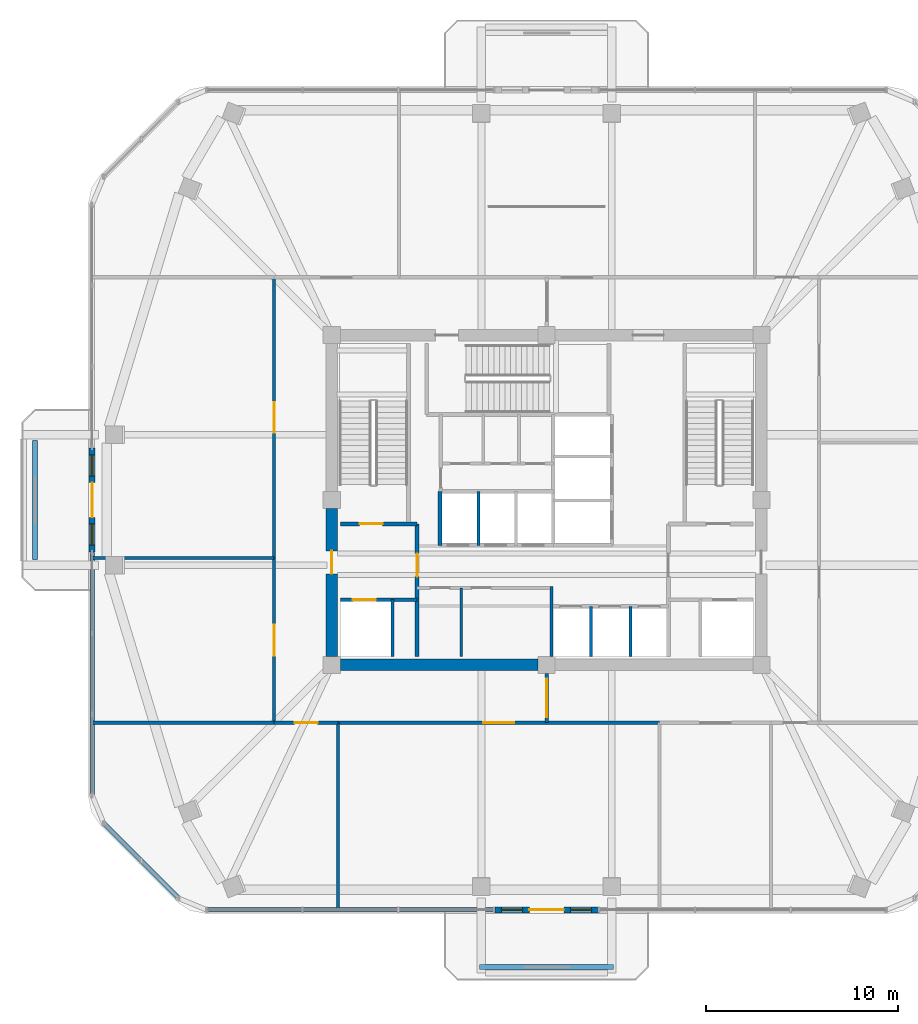
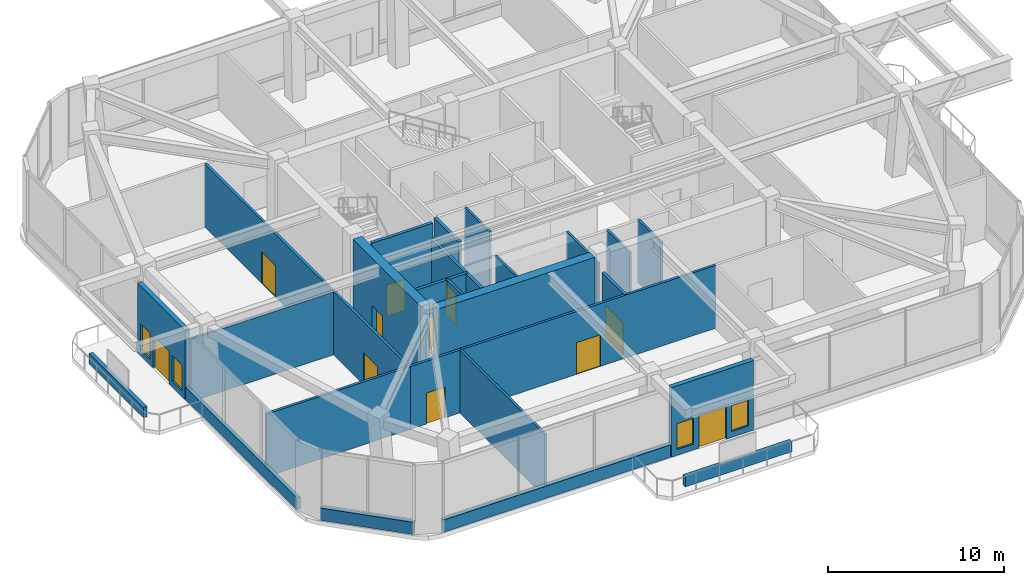
# One storey, part 8 of 14: 27 walls, 11 doors, 4 windows, 15 openings.
"""IFC4 building model written with IfcOpenShell, lengths in metres."""

from ifc_helpers import new_model, si_unit, derived_unit, direction, frame, frame_2d, origin, place, context, subcontext, project, spatial, rectangle, extrude, material, layer, layer_set, type_object, element, fill, save


model = new_model("IFC4")

# Units and contexts
model_context = context("Model", 3, precision=1e-05, world=origin(), true_north=direction((0.0, 1.0)))
body_context = subcontext(model_context, "Body", "Model", "MODEL_VIEW")
ifc_project = project(units=[si_unit("LENGTHUNIT", "METRE"), si_unit("AREAUNIT", "SQUARE_METRE"), si_unit("VOLUMEUNIT", "CUBIC_METRE"), si_unit("PLANEANGLEUNIT", "RADIAN"), si_unit("MASSUNIT", "GRAM", prefix="KILO"), derived_unit("THERMALTRANSMITTANCEUNIT", [(si_unit("POWERUNIT", "WATT"), 1), (si_unit("LENGTHUNIT", "METRE"), -2), (si_unit("THERMODYNAMICTEMPERATUREUNIT", "KELVIN"), -1)])], contexts=[model_context])

# Site, building, storey
site_placement = place(None, origin())
site = spatial("IfcSite", under=ifc_project, at=site_placement, CompositionType="ELEMENT")
building_placement = place(site_placement, origin())
building = spatial("IfcBuilding", under=site, at=building_placement, Name="Koralith Skygarden Medical Center", CompositionType="ELEMENT")
storey_placement = place(building_placement, frame((0.0, 0.0, 182.699951171875)))
storey = spatial("IfcBuildingStorey", under=building, at=storey_placement, Name="L47", CompositionType="ELEMENT", Elevation=182.699951171875)

# Walls
ifc_material_1 = material(Name="Gypsum Board Partition")
ifc_layer_1 = layer(ifc_material_1, 0.14990234375)
ifc_layer_set_1 = layer_set([ifc_layer_1], Name="Gypsum Board Partition")
wall_type_1 = type_object("IfcWallType", Name="Clinical Acoustic Partition 150", PredefinedType="PARTITIONING", material=ifc_layer_set_1)
wall_1_placement = place(storey_placement, frame((32.550048828125, 17.75, 0.0), z_axis=(0.0, 0.0, 1.0), x_axis=(0.0, 1.0, 0.0)))
element("IfcWall", 1, at=wall_1_placement, inside=storey, type_object=wall_type_1, Name="L47 Clinical Acoustic Partition 150 W-CORE-L47-FREED-LR-M", PredefinedType="PARTITIONING", context=body_context, shape_type="SweptSolid", body=[
    extrude(rectangle(XDim=3.570068359375, YDim=0.14990234375, at=frame_2d((1.78515625, 0.0))), origin(), (0.0, 0.0, 1.0), 4.3701171875),
])
wall_2_placement = place(storey_placement, frame((26.125, 14.2900390625, 0.0), z_axis=(0.0, 0.0, 1.0), x_axis=(0.0, -1.0, 0.0)))
element("IfcWall", 2, at=wall_2_placement, inside=storey, type_object=wall_type_1, Name="L47 Clinical Acoustic Partition 150 W-AMPART-L47-S-1", PredefinedType="PARTITIONING", context=body_context, shape_type="SweptSolid", body=[
    extrude(rectangle(XDim=9.740966796875, YDim=0.14990234375, at=frame_2d((4.87060546875, 0.0))), origin(), (0.0, 0.0, 1.0), 4.3701171875),
])
wall_3_placement = place(storey_placement, frame((22.7900390625, 22.881103515625, 0.0), z_axis=(0.0, 0.0, 1.0), x_axis=(-1.0, 0.0, 0.0)))
element("IfcWall", 3, at=wall_3_placement, inside=storey, type_object=wall_type_1, Name="L47 Clinical Acoustic Partition 150 W-AMPART-L47-W-1", PredefinedType="PARTITIONING", context=body_context, shape_type="SweptSolid", body=[
    extrude(rectangle(XDim=9.467041015625, YDim=0.14990234375, at=frame_2d((4.7333984375, 0.0))), origin(), (0.0, 0.0, 1.0), 4.3701171875),
])
ifc_layer_2 = layer(ifc_material_1, 0.1650390625)
ifc_layer_set_2 = layer_set([ifc_layer_2], Name="Gypsum Board Partition")
wall_type_2 = type_object("IfcWallType", Name="Clinical Corridor Partition 165", PredefinedType="PARTITIONING", material=ifc_layer_set_2)
wall_4_placement = place(storey_placement, frame((13.322998046875, 14.2900390625, 0.0), z_axis=(0.0, 0.0, 1.0), x_axis=(1.0, 0.0, 0.0)))
element("IfcWall", 4, at=wall_4_placement, inside=storey, type_object=wall_type_2, Name="L47 Clinical Corridor Partition 165 W-WB-L47-SW", PredefinedType="PARTITIONING", context=body_context, shape_type="SweptSolid", body=[
    extrude(rectangle(XDim=9.467041015625, YDim=0.1650390625, at=frame_2d((4.7333984375, 0.0))), origin(), (0.0, 0.0, 1.0), 4.3701171875),
])

# Wall, opening, door
wall_5_placement = place(storey_placement, frame((22.7900390625, 14.2900390625, 0.0), z_axis=(0.0, 0.0, 1.0), x_axis=(1.0, 0.0, 0.0)))
wall_5 = element("IfcWall", 5, at=wall_5_placement, inside=storey, type_object=wall_type_2, Name="L47 Clinical Corridor Partition 165 W-AMCOR-L47-S-1", PredefinedType="PARTITIONING", context=body_context, shape_type="SweptSolid", body=[
    extrude(rectangle(XDim=3.3349609375, YDim=0.1650390625, at=frame_2d((1.66748046875, 0.0))), origin(), (0.0, 0.0, 1.0), 4.3701171875),
])
opening_1_placement = place(wall_5_placement, frame((1.068115234375, 0.0, 0.0)))
opening_1 = element("IfcOpeningElement", 6, at=opening_1_placement, cuts=wall_5, Name="Opening D-CLN", PredefinedType="OPENING", context=body_context, shape_type="SweptSolid", body=[
    extrude(rectangle(XDim=1.199951171875, YDim=2.14990234375, at=frame_2d((0.60009765625, 1.074951171875))), frame((0.0, 0.092529296875, 0.0), z_axis=(0.0, -1.0, 0.0), x_axis=(1.0, 0.0, 0.0)), (0.0, 0.0, 1.0), 0.18505859375),
])
ifc_material_2 = material(Name="Aluminium 6063-T6", Category="aluminium")
door_type_1 = type_object("IfcDoorType", Name="Clinical Corridor Door D-CLN 1200", OperationType="NOTDEFINED", PredefinedType="DOOR", material=ifc_material_2)
door_1_placement = place(opening_1_placement, frame((1.199951171875, 0.0, 0.0), z_axis=(0.0, 0.0, 1.0), x_axis=(-1.0, 0.0, 0.0)))
door_1 = element("IfcDoor", 7, at=door_1_placement, inside=storey, type_object=door_type_1, Name="L47 Rehabilitation Exercise Treatment Room Door", OperationType="SINGLE_SWING_LEFT", OverallHeight=2.14990234375, OverallWidth=1.199951171875, PredefinedType="DOOR", context=body_context, shape_type="SweptSolid", body=[
    extrude(rectangle(XDim=1.199951171875, YDim=2.14990234375, at=frame_2d((0.60009765625, 1.074951171875))), frame((0.0, 0.02490234375, 0.0), z_axis=(0.0, -1.0, 0.0), x_axis=(1.0, 0.0, 0.0)), (0.0, 0.0, 1.0), 0.050048828125),
])
fill(opening_1, door_1)

wall_6_placement = place(storey_placement, frame((26.125, 14.2900390625, 0.0), z_axis=(0.0, 0.0, 1.0), x_axis=(1.0, 0.0, 0.0)))
wall_6 = element("IfcWall", 8, at=wall_6_placement, inside=storey, type_object=wall_type_2, Name="L47 Clinical Corridor Partition 165 W-AMCOR-L47-S-2", PredefinedType="PARTITIONING", context=body_context, shape_type="SweptSolid", body=[
    extrude(rectangle(XDim=16.76611328125, YDim=0.1650390625, at=frame_2d((8.383056640625, 0.0))), origin(), (0.0, 0.0, 1.0), 4.3701171875),
])
opening_2_placement = place(wall_6_placement, frame((7.5830078125, 0.0, 0.0)))
opening_2 = element("IfcOpeningElement", 9, at=opening_2_placement, cuts=wall_6, Name="Opening D-DBL", PredefinedType="OPENING", context=body_context, shape_type="SweptSolid", body=[
    extrude(rectangle(XDim=1.60009765625, YDim=2.199951171875, at=frame_2d((0.800048828125, 1.10009765625))), frame((0.0, 0.092529296875, 0.0), z_axis=(0.0, -1.0, 0.0), x_axis=(1.0, 0.0, 0.0)), (0.0, 0.0, 1.0), 0.18505859375),
])
door_type_2 = type_object("IfcDoorType", Name="Double Clinical Suite Door D-DBL 1600", OperationType="NOTDEFINED", PredefinedType="DOOR", material=ifc_material_2)
door_2_placement = place(opening_2_placement, frame((1.60009765625, 0.0, 0.0), z_axis=(0.0, 0.0, 1.0), x_axis=(-1.0, 0.0, 0.0)))
door_2 = element("IfcDoor", 10, at=door_2_placement, inside=storey, type_object=door_type_2, Name="L47 South Sky-Garden Verandah Lounge Door", OperationType="DOUBLE_DOOR_SINGLE_SWING", OverallHeight=2.199951171875, OverallWidth=1.60009765625, PredefinedType="DOOR", context=body_context, shape_type="SweptSolid", body=[
    extrude(rectangle(XDim=1.60009765625, YDim=2.199951171875, at=frame_2d((0.800048828125, 1.10009765625))), frame((0.0, 0.02490234375, 0.0), z_axis=(0.0, -1.0, 0.0), x_axis=(1.0, 0.0, 0.0)), (0.0, 0.0, 1.0), 0.050048828125),
])
fill(opening_2, door_2)

wall_7_placement = place(storey_placement, frame((22.7900390625, 14.2900390625, 0.0), z_axis=(0.0, 0.0, 1.0), x_axis=(0.0, 1.0, 0.0)))
wall_7 = element("IfcWall", 11, at=wall_7_placement, inside=storey, type_object=wall_type_2, Name="L47 Clinical Corridor Partition 165 W-AMCOR-L47-W-1", PredefinedType="PARTITIONING", context=body_context, shape_type="SweptSolid", body=[
    extrude(rectangle(XDim=8.591064453125, YDim=0.1650390625, at=frame_2d((4.29541015625, 0.0))), origin(), (0.0, 0.0, 1.0), 4.3701171875),
])
opening_3_placement = place(wall_7_placement, frame((3.49609375, 0.0, 0.0)))
opening_3 = element("IfcOpeningElement", 12, at=opening_3_placement, cuts=wall_7, Name="Opening D-DBL", PredefinedType="OPENING", context=body_context, shape_type="SweptSolid", body=[
    extrude(rectangle(XDim=1.60009765625, YDim=2.199951171875, at=frame_2d((0.800048828125, 1.10009765625))), frame((0.0, 0.092529296875, 0.0), z_axis=(0.0, -1.0, 0.0), x_axis=(1.0, 0.0, 0.0)), (0.0, 0.0, 1.0), 0.18505859375),
])
door_3_placement = place(opening_3_placement, frame((1.60009765625, 0.0, 0.0), z_axis=(0.0, 0.0, 1.0), x_axis=(-1.0, 0.0, 0.0)))
door_3 = element("IfcDoor", 13, at=door_3_placement, inside=storey, type_object=door_type_2, Name="L47 Diagnostic Ultrasound Treatment Room Door", OperationType="DOUBLE_DOOR_SINGLE_SWING", OverallHeight=2.199951171875, OverallWidth=1.60009765625, PredefinedType="DOOR", context=body_context, shape_type="SweptSolid", body=[
    extrude(rectangle(XDim=1.60009765625, YDim=2.199951171875, at=frame_2d((0.800048828125, 1.10009765625))), frame((0.0, 0.02490234375, 0.0), z_axis=(0.0, -1.0, 0.0), x_axis=(1.0, 0.0, 0.0)), (0.0, 0.0, 1.0), 0.050048828125),
])
fill(opening_3, door_3)

wall_8_placement = place(storey_placement, frame((22.7900390625, 22.881103515625, 0.0), z_axis=(0.0, 0.0, 1.0), x_axis=(0.0, 1.0, 0.0)))
wall_8 = element("IfcWall", 14, at=wall_8_placement, inside=storey, type_object=wall_type_2, Name="L47 Clinical Corridor Partition 165 W-AMCOR-L47-W-2", PredefinedType="PARTITIONING", context=body_context, shape_type="SweptSolid", body=[
    extrude(rectangle(XDim=14.62890625, YDim=0.1650390625, at=frame_2d((7.314453125, 0.0))), origin(), (0.0, 0.0, 1.0), 4.3701171875),
])
opening_4_placement = place(wall_8_placement, frame((6.513916015625, 0.0, 0.0)))
opening_4 = element("IfcOpeningElement", 15, at=opening_4_placement, cuts=wall_8, Name="Opening D-DBL", PredefinedType="OPENING", context=body_context, shape_type="SweptSolid", body=[
    extrude(rectangle(XDim=1.60009765625, YDim=2.199951171875, at=frame_2d((0.800048828125, 1.10009765625))), frame((0.0, 0.092529296875, 0.0), z_axis=(0.0, -1.0, 0.0), x_axis=(1.0, 0.0, 0.0)), (0.0, 0.0, 1.0), 0.18505859375),
])
door_4_placement = place(opening_4_placement, frame((1.60009765625, 0.0, 0.0), z_axis=(0.0, 0.0, 1.0), x_axis=(-1.0, 0.0, 0.0)))
door_4 = element("IfcDoor", 16, at=door_4_placement, inside=storey, type_object=door_type_2, Name="L47 West Sky-Garden Verandah Lounge Door", OperationType="DOUBLE_DOOR_SINGLE_SWING", OverallHeight=2.199951171875, OverallWidth=1.60009765625, PredefinedType="DOOR", context=body_context, shape_type="SweptSolid", body=[
    extrude(rectangle(XDim=1.60009765625, YDim=2.199951171875, at=frame_2d((0.800048828125, 1.10009765625))), frame((0.0, 0.02490234375, 0.0), z_axis=(0.0, -1.0, 0.0), x_axis=(1.0, 0.0, 0.0)), (0.0, 0.0, 1.0), 0.050048828125),
])
fill(opening_4, door_4)

ifc_layer_3 = layer(ifc_material_1, 0.199951171875)
ifc_layer_set_3 = layer_set([ifc_layer_3], Name="Gypsum Board Partition")
wall_type_3 = type_object("IfcWallType", Name="Fire Shaft Wall 200", PredefinedType="SOLIDWALL", material=ifc_layer_set_3)
wall_9_placement = place(storey_placement, frame((26.25, 20.699951171875, 0.0), z_axis=(0.0, 0.0, 1.0), x_axis=(1.0, 0.0, 0.0)))
wall_9 = element("IfcWall", 17, at=wall_9_placement, inside=storey, type_object=wall_type_3, Name="L47 Fire Shaft Wall 200 W-CORE-L47-FF1-N", PredefinedType="SOLIDWALL", context=body_context, shape_type="SweptSolid", body=[
    extrude(rectangle(XDim=4.0, YDim=0.199951171875, at=frame_2d((2.0, 0.0))), origin(), (0.0, 0.0, 1.0), 4.3701171875),
])
opening_5_placement = place(wall_9_placement, frame((0.64990234375, 0.0, 0.0)))
opening_5 = element("IfcOpeningElement", 18, at=opening_5_placement, cuts=wall_9, Name="Opening LD-FF", PredefinedType="OPENING", context=body_context, shape_type="SweptSolid", body=[
    extrude(rectangle(XDim=1.199951171875, YDim=2.14990234375, at=frame_2d((0.60009765625, 1.074951171875))), frame((0.0, 0.10986328125, 0.0), z_axis=(0.0, -1.0, 0.0), x_axis=(1.0, 0.0, 0.0)), (0.0, 0.0, 1.0), 0.219970703125),
])
ifc_material_3 = material(Name="Steel ASTM A500 Grade C", Category="steel")
door_type_3 = type_object("IfcDoorType", Name="Fire Lift Sliding Landing Door LD-FF 1200", OperationType="NOTDEFINED", PredefinedType="DOOR", material=ifc_material_3)
door_5_placement = place(opening_5_placement, origin())
door_5 = element("IfcDoor", 19, at=door_5_placement, inside=storey, type_object=door_type_3, Name="L47 Fire Service Elevator FF1 Landing Door", OperationType="SLIDING_TO_LEFT", OverallHeight=2.14990234375, OverallWidth=1.199951171875, PredefinedType="DOOR", context=body_context, shape_type="SweptSolid", body=[
    extrude(rectangle(XDim=1.199951171875, YDim=2.14990234375, at=frame_2d((0.60009765625, 1.074951171875))), frame((0.0, 0.02490234375, 0.0), z_axis=(0.0, -1.0, 0.0), x_axis=(1.0, 0.0, 0.0)), (0.0, 0.0, 1.0), 0.050048828125),
])
fill(opening_5, door_5)

wall_10_placement = place(storey_placement, frame((30.25, 17.75, 0.0), z_axis=(0.0, 0.0, 1.0), x_axis=(0.0, 1.0, 0.0)))
wall_10 = element("IfcWall", 20, at=wall_10_placement, inside=storey, type_object=wall_type_3, Name="L47 Fire Shaft Wall 200 W-CORE-L47-FSAEW-E", PredefinedType="SOLIDWALL", context=body_context, shape_type="SweptSolid", body=[
    extrude(rectangle(XDim=6.89990234375, YDim=0.199951171875, at=frame_2d((3.449951171875, 0.0))), origin(), (0.0, 0.0, 1.0), 4.3701171875),
])
opening_6_placement = place(wall_10_placement, frame((4.14990234375, 0.0, 0.0)))
opening_6 = element("IfcOpeningElement", 21, at=opening_6_placement, cuts=wall_10, Name="Opening D-ST60", PredefinedType="OPENING", context=body_context, shape_type="SweptSolid", body=[
    extrude(rectangle(XDim=1.199951171875, YDim=2.14990234375, at=frame_2d((0.60009765625, 1.074951171875))), frame((0.0, 0.10986328125, 0.0), z_axis=(0.0, -1.0, 0.0), x_axis=(1.0, 0.0, 0.0)), (0.0, 0.0, 1.0), 0.219970703125),
])
door_type_4 = type_object("IfcDoorType", Name="Smokeproof Stair Fire Door FD60S 1200", OperationType="NOTDEFINED", PredefinedType="DOOR", material=ifc_material_3)
door_6_placement = place(opening_6_placement, origin())
door_6 = element("IfcDoor", 22, at=door_6_placement, inside=storey, type_object=door_type_4, Name="L47 West Firefighting Lobby Inner Fire Door", OperationType="SINGLE_SWING_LEFT", OverallHeight=2.14990234375, OverallWidth=1.199951171875, PredefinedType="DOOR", context=body_context, shape_type="SweptSolid", body=[
    extrude(rectangle(XDim=1.199951171875, YDim=2.14990234375, at=frame_2d((0.60009765625, 1.074951171875))), frame((0.0, 0.02490234375, 0.0), z_axis=(0.0, -1.0, 0.0), x_axis=(1.0, 0.0, 0.0)), (0.0, 0.0, 1.0), 0.050048828125),
])
fill(opening_6, door_6)

# Wall
wall_11_placement = place(storey_placement, frame((31.449951171875, 23.5400390625, 0.0), z_axis=(0.0, 0.0, 1.0), x_axis=(0.0, 1.0, 0.0)))
element("IfcWall", 23, at=wall_11_placement, inside=storey, type_object=wall_type_3, Name="L47 Fire Shaft Wall 200 W-CORE-L47-PH-W", PredefinedType="SOLIDWALL", context=body_context, shape_type="SweptSolid", body=[
    extrude(rectangle(XDim=2.81005859375, YDim=0.199951171875, at=frame_2d((1.405029296875, 0.0))), origin(), (0.0, 0.0, 1.0), 4.3701171875),
])

# Wall, opening, door
ifc_layer_4 = layer(ifc_material_1, 0.179931640625)
ifc_layer_set_4 = layer_set([ifc_layer_4], Name="Gypsum Board Partition")
wall_type_4 = type_object("IfcWallType", Name="Group I-2 Smoke Barrier Wall 180", PredefinedType="PARTITIONING", material=ifc_layer_set_4)
wall_12_placement = place(storey_placement, frame((37.0, 14.2900390625, 0.0), z_axis=(0.0, 0.0, 1.0), x_axis=(0.0, 1.0, 0.0)))
wall_12 = element("IfcWall", 24, at=wall_12_placement, inside=storey, type_object=wall_type_4, Name="L47 Group I-2 Smoke Barrier Wall 180 W-SMK-L47-S", PredefinedType="PARTITIONING", context=body_context, shape_type="SweptSolid", body=[
    extrude(rectangle(XDim=2.56005859375, YDim=0.179931640625, at=frame_2d((1.280029296875, 0.0))), origin(), (0.0, 0.0, 1.0), 4.3701171875),
])
opening_7_placement = place(wall_12_placement, frame((0.280029296875, 0.0, 0.0)))
opening_7 = element("IfcOpeningElement", 25, at=opening_7_placement, cuts=wall_12, Name="Opening D-SMK", PredefinedType="OPENING", context=body_context, shape_type="SweptSolid", body=[
    extrude(rectangle(XDim=2.0, YDim=2.199951171875, at=frame_2d((1.0, 1.10009765625))), frame((0.0, 0.099853515625, 0.0), z_axis=(0.0, -1.0, 0.0), x_axis=(1.0, 0.0, 0.0)), (0.0, 0.0, 1.0), 0.199951171875),
])
door_type_5 = type_object("IfcDoorType", Name="Cross-Corridor Double Smoke Door FD60S 2000", OperationType="NOTDEFINED", PredefinedType="DOOR", material=ifc_material_3)
door_7_placement = place(opening_7_placement, frame((2.0, 0.0, 0.0), z_axis=(0.0, 0.0, 1.0), x_axis=(-1.0, 0.0, 0.0)))
door_7 = element("IfcDoor", 26, at=door_7_placement, inside=storey, type_object=door_type_5, Name="L47 S Smoke Compartment Cross-Corridor Door", OperationType="DOUBLE_DOOR_SINGLE_SWING", OverallHeight=2.199951171875, OverallWidth=2.0, PredefinedType="DOOR", context=body_context, shape_type="SweptSolid", body=[
    extrude(rectangle(XDim=2.0, YDim=2.199951171875, at=frame_2d((1.0, 1.10009765625))), frame((0.0, 0.02490234375, 0.0), z_axis=(0.0, -1.0, 0.0), x_axis=(1.0, 0.0, 0.0)), (0.0, 0.0, 1.0), 0.050048828125),
])
fill(opening_7, door_7)

# Walls
ifc_material_4 = material(Name="Warm Oolitic Limestone Cladding", Category="masonry")
ifc_layer_5 = layer(ifc_material_4, 0.239990234375)
ifc_layer_set_5 = layer_set([ifc_layer_5], Name="Warm Oolitic Limestone Cladding")
wall_type_5 = type_object("IfcWallType", Name="Limestone Spandrel Sill Backup Wall 240", PredefinedType="SOLIDWALL", material=ifc_layer_set_5)
wall_13_placement = place(storey_placement, frame((19.278076171875, 4.529052734375, 0.0), z_axis=(0.0, 0.0, 1.0), x_axis=(1.0, 0.0, 0.0)))
element("IfcWall", 27, at=wall_13_placement, inside=storey, type_object=wall_type_5, Name="L47 Sill Spandrel S-L", PredefinedType="SOLIDWALL", context=body_context, shape_type="SweptSolid", body=[
    extrude(rectangle(XDim=14.98095703125, YDim=0.239990234375, at=frame_2d((7.490478515625, 0.0))), origin(), (0.0, 0.0, 1.0), 0.85009765625),
])
wall_14_placement = place(storey_placement, frame((13.302978515625, 23.159912109375, 0.0), z_axis=(0.0, 0.0, 1.0), x_axis=(0.0, -1.0, 0.0)))
element("IfcWall", 28, at=wall_14_placement, inside=storey, type_object=wall_type_5, Name="L47 Sill Spandrel W-R", PredefinedType="SOLIDWALL", context=body_context, shape_type="SweptSolid", body=[
    extrude(rectangle(XDim=12.655029296875, YDim=0.239990234375, at=frame_2d((6.32763671875, 0.0))), origin(), (0.0, 0.0, 1.0), 0.85009765625),
])
wall_15_placement = place(storey_placement, frame((13.904052734375, 9.053955078125, 0.0), z_axis=(0.0, 0.0, 1.0), x_axis=(0.707106781187, -0.707106781187, 0.0)))
element("IfcWall", 29, at=wall_15_placement, inside=storey, type_object=wall_type_5, Name="L47 Sill Spandrel SW", PredefinedType="SOLIDWALL", context=body_context, shape_type="SweptSolid", body=[
    extrude(rectangle(XDim=5.5478515625, YDim=0.239990234375, at=frame_2d((2.77392578125, 0.0))), origin(), (0.0, 0.0, 1.0), 0.85009765625),
])

# Wall, openings, door, windows
ifc_layer_6 = layer(ifc_material_4, 0.300048828125)
ifc_layer_set_6 = layer_set([ifc_layer_6], Name="Warm Oolitic Limestone Cladding")
wall_type_6 = type_object("IfcWallType", Name="Oolitic Limestone Insulated Facade Wall 300", PredefinedType="SOLIDWALL", material=ifc_layer_set_6)
wall_16_placement = place(storey_placement, frame((34.299072265625, 4.529052734375, 0.0), z_axis=(0.0, 0.0, 1.0), x_axis=(1.0, 0.0, 0.0)))
wall_16 = element("IfcWall", 30, at=wall_16_placement, inside=storey, type_object=wall_type_6, Name="L47 Terrace Portal Wall S", PredefinedType="SOLIDWALL", context=body_context, shape_type="SweptSolid", body=[
    extrude(rectangle(XDim=5.39990234375, YDim=0.300048828125, at=frame_2d((2.699951171875, 0.0))), origin(), (0.0, 0.0, 1.0), 4.830078125),
])
opening_8_placement = place(wall_16_placement, frame((1.800048828125, 0.0, 0.0)))
opening_8 = element("IfcOpeningElement", 31, at=opening_8_placement, cuts=wall_16, Name="Opening D-SG", PredefinedType="OPENING", context=body_context, shape_type="SweptSolid", body=[
    extrude(rectangle(XDim=1.800048828125, YDim=2.25, at=frame_2d((0.89990234375, 1.125))), frame((0.0, 0.159912109375, 0.0), z_axis=(0.0, -1.0, 0.0), x_axis=(1.0, 0.0, 0.0)), (0.0, 0.0, 1.0), 0.320068359375),
])
opening_9_placement = place(wall_16_placement, frame((0.35009765625, 0.0, 0.39990234375)))
opening_9 = element("IfcOpeningElement", 32, at=opening_9_placement, cuts=wall_16, Name="Opening W-04", PredefinedType="OPENING", context=body_context, shape_type="SweptSolid", body=[
    extrude(rectangle(XDim=1.10009765625, YDim=1.800048828125, at=frame_2d((0.550048828125, 0.89990234375))), frame((0.0, 0.159912109375, 0.0), z_axis=(0.0, -1.0, 0.0), x_axis=(1.0, 0.0, 0.0)), (0.0, 0.0, 1.0), 0.320068359375),
])
opening_10_placement = place(wall_16_placement, frame((3.949951171875, 0.0, 0.39990234375)))
opening_10 = element("IfcOpeningElement", 33, at=opening_10_placement, cuts=wall_16, Name="Opening W-04", PredefinedType="OPENING", context=body_context, shape_type="SweptSolid", body=[
    extrude(rectangle(XDim=1.10009765625, YDim=1.800048828125, at=frame_2d((0.550048828125, 0.89990234375))), frame((0.0, 0.159912109375, 0.0), z_axis=(0.0, -1.0, 0.0), x_axis=(1.0, 0.0, 0.0)), (0.0, 0.0, 1.0), 0.320068359375),
])
door_type_6 = type_object("IfcDoorType", Name="Sky-Garden Double Terrace Door D-SG 1800", OperationType="NOTDEFINED", PredefinedType="DOOR", material=ifc_material_2)
door_8_placement = place(opening_8_placement, origin())
door_8 = element("IfcDoor", 34, at=door_8_placement, inside=storey, type_object=door_type_6, Name="L47 S Outdoor Terrace Access Door", OperationType="DOUBLE_DOOR_SINGLE_SWING", OverallHeight=2.25, OverallWidth=1.800048828125, PredefinedType="DOOR", context=body_context, shape_type="SweptSolid", body=[
    extrude(rectangle(XDim=1.800048828125, YDim=2.25, at=frame_2d((0.89990234375, 1.125))), frame((0.0, 0.02490234375, 0.0), z_axis=(0.0, -1.0, 0.0), x_axis=(1.0, 0.0, 0.0)), (0.0, 0.0, 1.0), 0.050048828125),
])
fill(opening_8, door_8)
ifc_material_5 = material(Name="Clear Laminated Glass", Category="glass")
window_type = type_object("IfcWindowType", Name="Sky-Garden Portal Sidelight Window W-04 1100x1800", PartitioningType="SINGLE_PANEL", PredefinedType="WINDOW", material=ifc_material_5)
window_1_placement = place(opening_9_placement, origin())
window_1 = element("IfcWindow", 35, at=window_1_placement, inside=storey, type_object=window_type, Name="L47 S Portal Sidelight 1", OverallHeight=1.800048828125, OverallWidth=1.10009765625, PartitioningType="SINGLE_PANEL", PredefinedType="WINDOW", context=body_context, shape_type="SweptSolid", body=[
    extrude(rectangle(XDim=1.10009765625, YDim=1.800048828125, at=frame_2d((0.550048828125, 0.89990234375))), frame((0.0, 0.030029296875, 0.0), z_axis=(0.0, -1.0, 0.0), x_axis=(1.0, 0.0, 0.0)), (0.0, 0.0, 1.0), 0.06005859375),
])
fill(opening_9, window_1)
window_2_placement = place(opening_10_placement, origin())
window_2 = element("IfcWindow", 36, at=window_2_placement, inside=storey, type_object=window_type, Name="L47 S Portal Sidelight 2", OverallHeight=1.800048828125, OverallWidth=1.10009765625, PartitioningType="SINGLE_PANEL", PredefinedType="WINDOW", context=body_context, shape_type="SweptSolid", body=[
    extrude(rectangle(XDim=1.10009765625, YDim=1.800048828125, at=frame_2d((0.550048828125, 0.89990234375))), frame((0.0, 0.030029296875, 0.0), z_axis=(0.0, -1.0, 0.0), x_axis=(1.0, 0.0, 0.0)), (0.0, 0.0, 1.0), 0.06005859375),
])
fill(opening_10, window_2)

wall_17_placement = place(storey_placement, frame((13.302978515625, 28.60009765625, 0.0), z_axis=(0.0, 0.0, 1.0), x_axis=(0.0, -1.0, 0.0)))
wall_17 = element("IfcWall", 37, at=wall_17_placement, inside=storey, type_object=wall_type_6, Name="L47 Terrace Portal Wall W", PredefinedType="SOLIDWALL", context=body_context, shape_type="SweptSolid", body=[
    extrude(rectangle(XDim=5.400146484375, YDim=0.300048828125, at=frame_2d((2.7001953125, 0.0))), origin(), (0.0, 0.0, 1.0), 4.830078125),
])
opening_11_placement = place(wall_17_placement, frame((1.800048828125, 0.0, 0.0)))
opening_11 = element("IfcOpeningElement", 38, at=opening_11_placement, cuts=wall_17, Name="Opening D-SG", PredefinedType="OPENING", context=body_context, shape_type="SweptSolid", body=[
    extrude(rectangle(XDim=1.800048828125, YDim=2.25, at=frame_2d((0.89990234375, 1.125))), frame((0.0, 0.159912109375, 0.0), z_axis=(0.0, -1.0, 0.0), x_axis=(1.0, 0.0, 0.0)), (0.0, 0.0, 1.0), 0.320068359375),
])
opening_12_placement = place(wall_17_placement, frame((0.35009765625, 0.0, 0.39990234375)))
opening_12 = element("IfcOpeningElement", 39, at=opening_12_placement, cuts=wall_17, Name="Opening W-04", PredefinedType="OPENING", context=body_context, shape_type="SweptSolid", body=[
    extrude(rectangle(XDim=1.10009765625, YDim=1.800048828125, at=frame_2d((0.550048828125, 0.89990234375))), frame((0.0, 0.159912109375, 0.0), z_axis=(0.0, -1.0, 0.0), x_axis=(1.0, 0.0, 0.0)), (0.0, 0.0, 1.0), 0.320068359375),
])
opening_13_placement = place(wall_17_placement, frame((3.949951171875, 0.0, 0.39990234375)))
opening_13 = element("IfcOpeningElement", 40, at=opening_13_placement, cuts=wall_17, Name="Opening W-04", PredefinedType="OPENING", context=body_context, shape_type="SweptSolid", body=[
    extrude(rectangle(XDim=1.10009765625, YDim=1.800048828125, at=frame_2d((0.550048828125, 0.89990234375))), frame((0.0, 0.159912109375, 0.0), z_axis=(0.0, -1.0, 0.0), x_axis=(1.0, 0.0, 0.0)), (0.0, 0.0, 1.0), 0.320068359375),
])
door_9_placement = place(opening_11_placement, origin())
door_9 = element("IfcDoor", 41, at=door_9_placement, inside=storey, type_object=door_type_6, Name="L47 W Outdoor Terrace Access Door", OperationType="DOUBLE_DOOR_SINGLE_SWING", OverallHeight=2.25, OverallWidth=1.800048828125, PredefinedType="DOOR", context=body_context, shape_type="SweptSolid", body=[
    extrude(rectangle(XDim=1.800048828125, YDim=2.25, at=frame_2d((0.89990234375, 1.125))), frame((0.0, 0.02490234375, 0.0), z_axis=(0.0, -1.0, 0.0), x_axis=(1.0, 0.0, 0.0)), (0.0, 0.0, 1.0), 0.050048828125),
])
fill(opening_11, door_9)
window_3_placement = place(opening_12_placement, origin())
window_3 = element("IfcWindow", 42, at=window_3_placement, inside=storey, type_object=window_type, Name="L47 W Portal Sidelight 1", OverallHeight=1.800048828125, OverallWidth=1.10009765625, PartitioningType="SINGLE_PANEL", PredefinedType="WINDOW", context=body_context, shape_type="SweptSolid", body=[
    extrude(rectangle(XDim=1.10009765625, YDim=1.800048828125, at=frame_2d((0.550048828125, 0.89990234375))), frame((0.0, 0.030029296875, 0.0), z_axis=(0.0, -1.0, 0.0), x_axis=(1.0, 0.0, 0.0)), (0.0, 0.0, 1.0), 0.06005859375),
])
fill(opening_12, window_3)
window_4_placement = place(opening_13_placement, origin())
window_4 = element("IfcWindow", 43, at=window_4_placement, inside=storey, type_object=window_type, Name="L47 W Portal Sidelight 2", OverallHeight=1.800048828125, OverallWidth=1.10009765625, PartitioningType="SINGLE_PANEL", PredefinedType="WINDOW", context=body_context, shape_type="SweptSolid", body=[
    extrude(rectangle(XDim=1.10009765625, YDim=1.800048828125, at=frame_2d((0.550048828125, 0.89990234375))), frame((0.0, 0.030029296875, 0.0), z_axis=(0.0, -1.0, 0.0), x_axis=(1.0, 0.0, 0.0)), (0.0, 0.0, 1.0), 0.06005859375),
])
fill(opening_13, window_4)

# Walls
ifc_layer_7 = layer(ifc_material_1, 0.14990234375)
ifc_layer_set_7 = layer_set([ifc_layer_7], Name="Gypsum Board Partition")
wall_type_7 = type_object("IfcWallType", Name="Shaft Partition Wall 150", PredefinedType="PARTITIONING", material=ifc_layer_set_7)
wall_18_placement = place(storey_placement, frame((28.969970703125, 17.75, 0.0), z_axis=(0.0, 0.0, 1.0), x_axis=(0.0, 1.0, 0.0)))
element("IfcWall", 44, at=wall_18_placement, inside=storey, type_object=wall_type_7, Name="L47 Shaft Partition Wall 150 W-CORE-L47-RSRW-DIV", PredefinedType="PARTITIONING", context=body_context, shape_type="SweptSolid", body=[
    extrude(rectangle(XDim=2.949951171875, YDim=0.14990234375, at=frame_2d((1.47509765625, 0.0))), origin(), (0.0, 0.0, 1.0), 4.3701171875),
])
for number, where, z_axis, x_axis, name in (
    (45, (39.320068359375, 17.75, 0.0), (0.0, 0.0, 1.0), (0.0, 1.0, 0.0), "L47 Shaft Partition Wall 150 W-CORE-L47-PM-D1"),
    (46, (41.3701171875, 17.75, 0.0), (0.0, 0.0, 1.0), (0.0, 1.0, 0.0), "L47 Shaft Partition Wall 150 W-CORE-L47-PM-D2"),
):
    element("IfcWall", number, at=place(storey_placement, frame(where, z_axis=z_axis, x_axis=x_axis)), inside=storey, type_object=wall_type_7, Name=name, PredefinedType="PARTITIONING", context=body_context, shape_type="SweptSolid", body=[
        extrude(rectangle(XDim=2.610107421875, YDim=0.14990234375, at=frame_2d((1.30517578125, 0.0))), origin(), (0.0, 0.0, 1.0), 4.3701171875),
    ])
wall_19_placement = place(storey_placement, frame((37.25, 17.75, 0.0), z_axis=(0.0, 0.0, 1.0), x_axis=(0.0, 1.0, 0.0)))
element("IfcWall", 47, at=wall_19_placement, inside=storey, type_object=wall_type_7, Name="L47 Shaft Partition Wall 150 W-CORE-L47-PL-PM-SEP", PredefinedType="PARTITIONING", context=body_context, shape_type="SweptSolid", body=[
    extrude(rectangle(XDim=3.64990234375, YDim=0.14990234375, at=frame_2d((1.824951171875, 0.0))), origin(), (0.0, 0.0, 1.0), 4.3701171875),
])
wall_20_placement = place(storey_placement, frame((33.449951171875, 23.5400390625, 0.0), z_axis=(0.0, 0.0, 1.0), x_axis=(0.0, 1.0, 0.0)))
element("IfcWall", 48, at=wall_20_placement, inside=storey, type_object=wall_type_7, Name="L47 Shaft Partition Wall 150 W-CORE-L47-PH-D1", PredefinedType="PARTITIONING", context=body_context, shape_type="SweptSolid", body=[
    extrude(rectangle(XDim=2.81005859375, YDim=0.14990234375, at=frame_2d((1.405029296875, 0.0))), origin(), (0.0, 0.0, 1.0), 4.3701171875),
])
ifc_material_6 = material(Name="Precast concrete C40/50", Category="concrete")
ifc_layer_8 = layer(ifc_material_6, 0.25)
ifc_layer_set_8 = layer_set([ifc_layer_8], Name="Precast concrete C40/50")
wall_type_8 = type_object("IfcWallType", Name="Structural Concrete Balcony Planter Kerb 250", PredefinedType="PARAPET", material=ifc_layer_set_8)
wall_21_placement = place(storey_placement, frame((33.5, 1.549072265625, 0.0), z_axis=(0.0, 0.0, 1.0), x_axis=(1.0, 0.0, 0.0)))
element("IfcWall", 49, at=wall_21_placement, inside=storey, type_object=wall_type_8, Name="L47 S Structural Tree PLANTER Box", PredefinedType="PARAPET", context=body_context, shape_type="SweptSolid", body=[
    extrude(rectangle(XDim=7.0, YDim=0.25, at=frame_2d((3.5, 0.0))), origin(), (0.0, 0.0, 1.0), 0.719970703125),
])
wall_22_placement = place(storey_placement, frame((10.322998046875, 22.800048828125, 0.0), z_axis=(0.0, 0.0, 1.0), x_axis=(0.0, 1.0, 0.0)))
element("IfcWall", 50, at=wall_22_placement, inside=storey, type_object=wall_type_8, Name="L47 W Structural Tree PLANTER Box", PredefinedType="PARAPET", context=body_context, shape_type="SweptSolid", body=[
    extrude(rectangle(XDim=6.199951171875, YDim=0.25, at=frame_2d((3.10009765625, 0.0))), origin(), (0.0, 0.0, 1.0), 0.719970703125),
])

# Wall, opening, door
ifc_material_7 = material(Name="Concrete C45/55", Category="concrete")
ifc_layer_9 = layer(ifc_material_7, 0.199951171875)
ifc_layer_set_9 = layer_set([ifc_layer_9], Name="Concrete C45/55")
wall_type_9 = type_object("IfcWallType", Name="Structural Stair Shaft Wall 200", PredefinedType="SHEAR", material=ifc_layer_set_9)
wall_23_placement = place(storey_placement, frame((26.25, 24.64990234375, 0.0), z_axis=(0.0, 0.0, 1.0), x_axis=(1.0, 0.0, 0.0)))
wall_23 = element("IfcWall", 51, at=wall_23_placement, inside=storey, type_object=wall_type_9, Name="L47 Structural Stair Shaft Wall 200 W-CORE-L47-ST1-S", PredefinedType="SHEAR", context=body_context, shape_type="SweptSolid", body=[
    extrude(rectangle(XDim=4.0, YDim=0.199951171875, at=frame_2d((2.0, 0.0))), origin(), (0.0, 0.0, 1.0), 5.4599609375),
])
opening_14_placement = place(wall_23_placement, frame((1.0, 0.0, 0.0)))
opening_14 = element("IfcOpeningElement", 52, at=opening_14_placement, cuts=wall_23, Name="Opening D-ST60", PredefinedType="OPENING", context=body_context, shape_type="SweptSolid", body=[
    extrude(rectangle(XDim=1.199951171875, YDim=2.14990234375, at=frame_2d((0.60009765625, 1.074951171875))), frame((0.0, 0.10986328125, 0.0), z_axis=(0.0, -1.0, 0.0), x_axis=(1.0, 0.0, 0.0)), (0.0, 0.0, 1.0), 0.219970703125),
])
door_10_placement = place(opening_14_placement, origin())
door_10 = element("IfcDoor", 53, at=door_10_placement, inside=storey, type_object=door_type_4, Name="L47 Exit Stair ST1 Fire Door", OperationType="SINGLE_SWING_LEFT", OverallHeight=2.14990234375, OverallWidth=1.199951171875, PredefinedType="DOOR", context=body_context, shape_type="SweptSolid", body=[
    extrude(rectangle(XDim=1.199951171875, YDim=2.14990234375, at=frame_2d((0.60009765625, 1.074951171875))), frame((0.0, 0.02490234375, 0.0), z_axis=(0.0, -1.0, 0.0), x_axis=(1.0, 0.0, 0.0)), (0.0, 0.0, 1.0), 0.050048828125),
])
fill(opening_14, door_10)

# Wall
ifc_material_8 = material(Name="Concrete C55/67", Category="concrete")
ifc_layer_10 = layer(ifc_material_8, 0.60009765625)
ifc_layer_set_10 = layer_set([ifc_layer_10], Name="Concrete C55/67")
wall_type_10 = type_object("IfcWallType", Name="Upper Core Shear Wall 600", PredefinedType="SHEAR", material=ifc_layer_set_10)
wall_24_placement = place(storey_placement, frame((26.2451171875, 17.300048828125, 0.0), z_axis=(0.0, 0.0, 1.0), x_axis=(1.0, 0.0, 0.0)))
element("IfcWall", 54, at=wall_24_placement, inside=storey, type_object=wall_type_10, Name="L47 Core Shear Wall Segment 1", PredefinedType="SHEAR", context=body_context, shape_type="SweptSolid", body=[
    extrude(rectangle(XDim=10.309814453125, YDim=0.60009765625, at=frame_2d((5.15478515625, 0.0))), origin(), (0.0, 0.0, 1.0), 5.4599609375),
])

# Wall, opening, door
wall_25_placement = place(storey_placement, frame((25.800048828125, 25.455078125, 0.0), z_axis=(0.0, 0.0, 1.0), x_axis=(0.0, -1.0, 0.0)))
wall_25 = element("IfcWall", 55, at=wall_25_placement, inside=storey, type_object=wall_type_10, Name="L47 Core Shear Wall Segment 8", PredefinedType="SHEAR", context=body_context, shape_type="SweptSolid", body=[
    extrude(rectangle(XDim=7.7099609375, YDim=0.60009765625, at=frame_2d((3.85498046875, 0.0))), origin(), (0.0, 0.0, 1.0), 5.4599609375),
])
opening_15_placement = place(wall_25_placement, frame((2.205078125, 0.0, 0.0)))
opening_15 = element("IfcOpeningElement", 56, at=opening_15_placement, cuts=wall_25, Name="Opening D-ST60", PredefinedType="OPENING", context=body_context, shape_type="SweptSolid", body=[
    extrude(rectangle(XDim=1.199951171875, YDim=2.14990234375, at=frame_2d((0.60009765625, 1.074951171875))), frame((0.0, 0.31005859375, 0.0), z_axis=(0.0, -1.0, 0.0), x_axis=(1.0, 0.0, 0.0)), (0.0, 0.0, 1.0), 0.6201171875),
])
door_11_placement = place(opening_15_placement, frame((1.199951171875, 0.0, 0.0), z_axis=(0.0, 0.0, 1.0), x_axis=(-1.0, 0.0, 0.0)))
door_11 = element("IfcDoor", 57, at=door_11_placement, inside=storey, type_object=door_type_4, Name="L47 West Corridor to Firefighting Lobby Door", OperationType="SINGLE_SWING_LEFT", OverallHeight=2.14990234375, OverallWidth=1.199951171875, PredefinedType="DOOR", context=body_context, shape_type="SweptSolid", body=[
    extrude(rectangle(XDim=1.199951171875, YDim=2.14990234375, at=frame_2d((0.60009765625, 1.074951171875))), frame((0.0, 0.02490234375, 0.0), z_axis=(0.0, -1.0, 0.0), x_axis=(1.0, 0.0, 0.0)), (0.0, 0.0, 1.0), 0.050048828125),
])
fill(opening_15, door_11)

save(model, "model.ifc")
